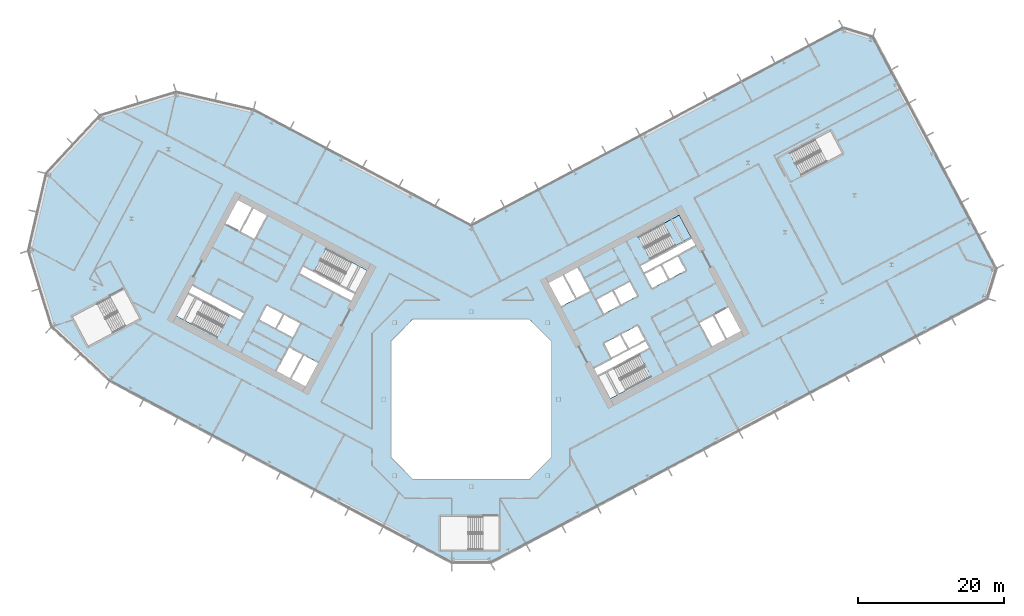
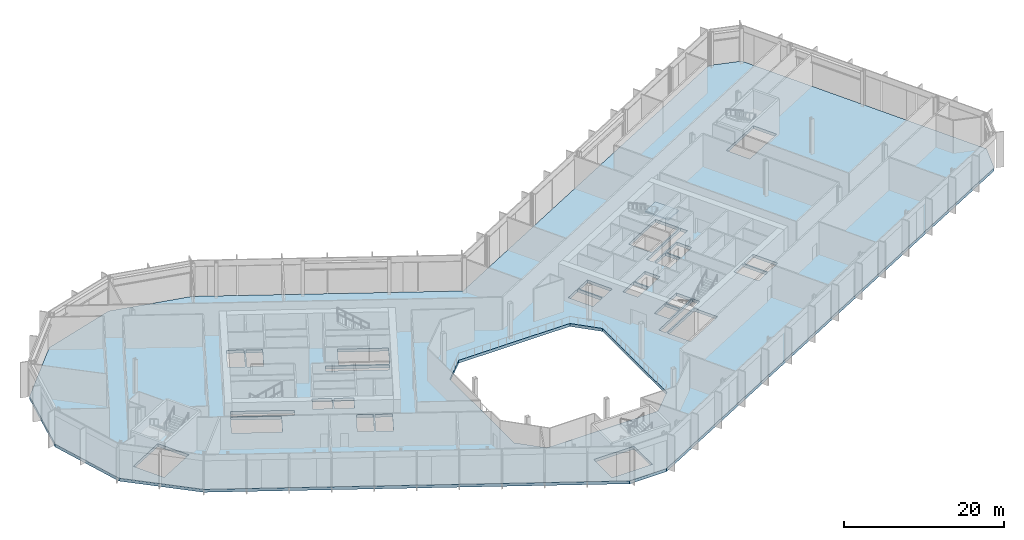
# One storey, part 10 of 32: 2 slabs, 1 element without a shape of its own.
"""IFC4 building model written with IfcOpenShell, lengths in metres."""

from ifc_helpers import new_model, si_unit, direction, frame, origin, place, context, subcontext, project, spatial, polyline, outline, extrude, material, layer, layer_set, type_object, element, aggregate, save


model = new_model("IFC4")

# Units and contexts
model_context = context("Model", 3, precision=1e-05, world=origin(), true_north=direction((0.0, 1.0)))
body_context = subcontext(model_context, "Body", "Model", "MODEL_VIEW")
ifc_project = project(units=[si_unit("LENGTHUNIT", "METRE"), si_unit("AREAUNIT", "SQUARE_METRE"), si_unit("VOLUMEUNIT", "CUBIC_METRE"), si_unit("PLANEANGLEUNIT", "RADIAN"), si_unit("MASSUNIT", "GRAM", prefix="KILO")], contexts=[model_context])

# Site, building, storey
site_placement = place(None, origin())
site = spatial("IfcSite", under=ifc_project, at=site_placement, CompositionType="ELEMENT")
building_placement = place(site_placement, origin())
building = spatial("IfcBuilding", under=site, at=building_placement, Name="Cormorant Relay Tower", CompositionType="ELEMENT")
storey_placement = place(building_placement, frame((0.0, 0.0, 60.800048828125)))
storey = spatial("IfcBuildingStorey", under=building, at=storey_placement, Name="L11", CompositionType="ELEMENT", Elevation=60.800048828125)

# Stair, slab
ifc_material_1 = material(Name="Concrete 40 MPa", Category="concrete")
stair_type = type_object("IfcStairType", Name="Exit stair 1500", PredefinedType="HALF_TURN_STAIR", material=ifc_material_1)
stair_placement = place(storey_placement, origin())
stair = element("IfcStair", 1, at=stair_placement, inside=storey, type_object=stair_type, Name="L11 Stair", PredefinedType="HALF_TURN_STAIR")
ifc_material_2 = material(Name="Concrete 40 MPa", Category="concrete")
ifc_layer_1 = layer(ifc_material_2, 0.199951171875)
ifc_layer_set_1 = layer_set([ifc_layer_1], Name="Exit stair landing 200")
slab_type_1 = type_object("IfcSlabType", Name="Exit stair landing 200", PredefinedType="LANDING", material=ifc_layer_set_1)
slab_1_placement = place(storey_placement, frame((0.0, 0.0, 2.5)))
slab_1 = element("IfcSlab", 2, at=slab_1_placement, type_object=slab_type_1, Name="B2 landing 1", PredefinedType="LANDING", context=body_context, shape_type="SweptSolid", body=[
    extrude(outline(polyline([(28.05322265625, 21.088623046875), (30.19873046875, 22.2294921875), (28.5791015625, 25.275634765625), (26.43359375, 24.134765625), (28.05322265625, 21.088623046875)])), origin(), (0.0, 0.0, 1.0), 0.199951171875),
])
aggregate(stair, [slab_1])

# Slab
ifc_material_3 = material(Name="Concrete 40 MPa", Category="concrete")
ifc_layer_2 = layer(ifc_material_3, 0.449951171875)
ifc_layer_set_2 = layer_set([ifc_layer_2], Name="Flat plate 450")
slab_type_2 = type_object("IfcSlabType", Name="Flat plate 450", PredefinedType="FLOOR", material=ifc_layer_set_2)
slab_2_placement = place(storey_placement, frame((0.0, 0.0, -0.449951171875)))
element("IfcSlab", 3, at=slab_2_placement, inside=storey, type_object=slab_type_2, Name="Floor slab L11", PredefinedType="FLOOR", context=body_context, shape_type="SweptSolid", body=[
    extrude(outline(polyline([(-60.7197265625, 20.393310546875), (-58.2744140625, 30.985107421875), (-50.86083984375, 38.935302734375), (-40.465576171875, 42.11328125), (-29.873779296875, 39.668212890625), (0.0, 23.783935546875), (51.064453125, 50.935302734375), (55.12158203125, 49.695068359375), (72.022705078125, 17.908935546875), (70.7822265625, 13.8515625), (2.648681640625, -22.37548828125), (-2.648681640625, -22.37548828125), (-49.591552734375, 2.584228515625), (-57.541748046875, 9.997802734375), (-60.7197265625, 20.393310546875)]), holes=[polyline([(11.0, -8.0), (11.0, 8.0), (8.0, 11.0), (-8.0, 11.0), (-11.0, 8.0), (-11.0, -8.0), (-8.0, -11.0), (8.0, -11.0), (11.0, -8.0)]), polyline([(-4.199951171875, -16.125), (-4.199951171875, -20.675048828125), (1.60009765625, -20.675048828125), (1.60009765625, -16.125), (-4.199951171875, -16.125)]), polyline([(-22.95458984375, 6.03271484375), (-24.668212890625, 2.81005859375), (-22.725830078125, 1.777099609375), (-21.01220703125, 5.0), (-23.04296875, 6.07958984375), (-22.95458984375, 6.03271484375)]), polyline([(-24.985595703125, 7.112548828125), (-26.69921875, 3.889892578125), (-24.844970703125, 2.90380859375), (-23.13134765625, 6.126708984375), (-23.04296875, 6.07958984375), (-24.985595703125, 7.112548828125)]), polyline([(-26.688720703125, 9.660400390625), (-24.481201171875, 8.48681640625), (-23.448486328125, 10.42919921875), (-25.656005859375, 11.602783203125), (-26.688720703125, 9.660400390625)]), polyline([(-49.57861328125, 14.0537109375), (-54.69970703125, 11.330810546875), (-52.563720703125, 7.3134765625), (-47.442626953125, 10.036376953125), (-49.57861328125, 14.0537109375)]), polyline([(-29.07275390625, 10.927978515625), (-26.865234375, 9.75439453125), (-25.83251953125, 11.69677734375), (-28.039794921875, 12.870361328125), (-29.07275390625, 10.927978515625)]), polyline([(-38.847900390625, 14.483154296875), (-40.46728515625, 11.43701171875), (-34.860595703125, 8.455810546875), (-33.240966796875, 11.502197265625), (-38.847900390625, 14.483154296875)]), polyline([(-38.260986328125, 15.5869140625), (-38.75390625, 14.659912109375), (-31.690185546875, 10.904052734375), (-31.197265625, 11.8310546875), (-38.260986328125, 15.5869140625)]), polyline([(14.3056640625, 13.779052734375), (12.592041015625, 17.001708984375), (10.649658203125, 15.968994140625), (12.36328125, 12.74609375), (14.39404296875, 13.825927734375), (14.3056640625, 13.779052734375)]), polyline([(16.33642578125, 14.85888671875), (14.622802734375, 18.08154296875), (12.768798828125, 17.095703125), (14.482421875, 13.872802734375), (14.39404296875, 13.825927734375), (16.33642578125, 14.85888671875)]), polyline([(-16.481689453125, 13.520263671875), (-15.989013671875, 14.447509765625), (-23.052490234375, 18.203125), (-23.54541015625, 17.276123046875), (-16.481689453125, 13.520263671875)]), polyline([(-21.501708984375, 17.605224609375), (-15.89501953125, 14.6240234375), (-14.275390625, 17.670166015625), (-19.882080078125, 20.6513671875), (-21.501708984375, 17.605224609375)]), polyline([(-31.611572265625, 22.980712890625), (-29.75732421875, 21.99462890625), (-28.043701171875, 25.217529296875), (-29.89794921875, 26.203369140625), (-31.611572265625, 22.980712890625)]), polyline([(-33.73046875, 24.107421875), (-31.7880859375, 23.074462890625), (-30.074462890625, 26.29736328125), (-32.01708984375, 27.330078125), (-33.73046875, 24.107421875)]), polyline([(23.087158203125, 6.10302734375), (17.48046875, 3.1220703125), (19.10009765625, 0.07568359375), (24.706787109375, 3.056884765625), (23.087158203125, 6.10302734375)]), polyline([(16.8935546875, 4.2255859375), (17.386474609375, 3.298583984375), (24.4501953125, 7.054443359375), (23.957275390625, 7.9814453125), (16.8935546875, 4.2255859375)]), polyline([(20.446533203125, 8.8330078125), (18.239013671875, 7.6591796875), (19.27197265625, 5.716796875), (21.479248046875, 6.890380859375), (20.446533203125, 8.8330078125)]), polyline([(22.830322265625, 10.1005859375), (20.623046875, 8.927001953125), (21.656005859375, 6.984375), (23.86328125, 8.158203125), (22.830322265625, 10.1005859375)]), polyline([(33.197021484375, 11.478515625), (31.3427734375, 10.49267578125), (33.056396484375, 7.27001953125), (34.910400390625, 8.255859375), (33.197021484375, 11.478515625)]), polyline([(33.37353515625, 11.572509765625), (35.087158203125, 8.349609375), (37.029541015625, 9.382568359375), (35.31591796875, 12.605224609375), (33.37353515625, 11.572509765625)]), polyline([(19.401123046875, 14.84619140625), (17.19384765625, 13.67236328125), (18.2265625, 11.72998046875), (20.43408203125, 12.903564453125), (19.401123046875, 14.84619140625)]), polyline([(21.78515625, 16.113525390625), (19.57763671875, 14.93994140625), (20.610595703125, 12.99755859375), (22.81787109375, 14.171142578125), (21.78515625, 16.113525390625)]), polyline([(26.023193359375, 18.3671875), (23.81591796875, 17.193359375), (24.8486328125, 15.2509765625), (27.05615234375, 16.424560546875), (26.023193359375, 18.3671875)]), polyline([(29.440185546875, 17.692138671875), (28.4072265625, 19.634765625), (26.19970703125, 18.4609375), (27.232666015625, 16.5185546875), (29.440185546875, 17.692138671875)]), polyline([(30.78564453125, 21.125732421875), (30.29248046875, 22.052978515625), (23.22900390625, 18.297119140625), (23.721923828125, 17.3701171875), (30.78564453125, 21.125732421875)]), polyline([(24.592041015625, 19.248291015625), (30.19873046875, 22.2294921875), (28.5791015625, 25.275634765625), (22.972412109375, 22.29443359375), (24.592041015625, 19.248291015625)]), polyline([(45.3349609375, 30.773681640625), (50.941650390625, 33.7548828125), (49.322021484375, 36.801025390625), (43.715087890625, 33.81982421875), (45.3349609375, 30.773681640625)])]), origin(), (0.0, 0.0, 1.0), 0.449951171875),
])

save(model, "model.ifc")
